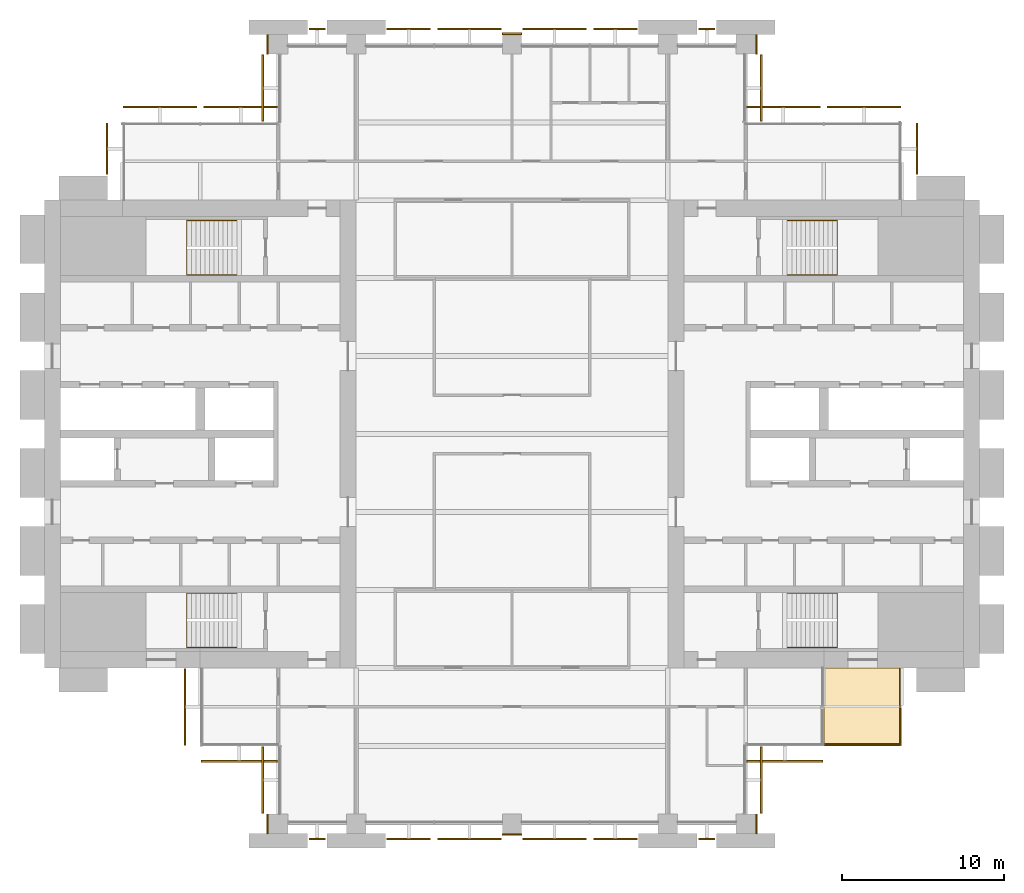
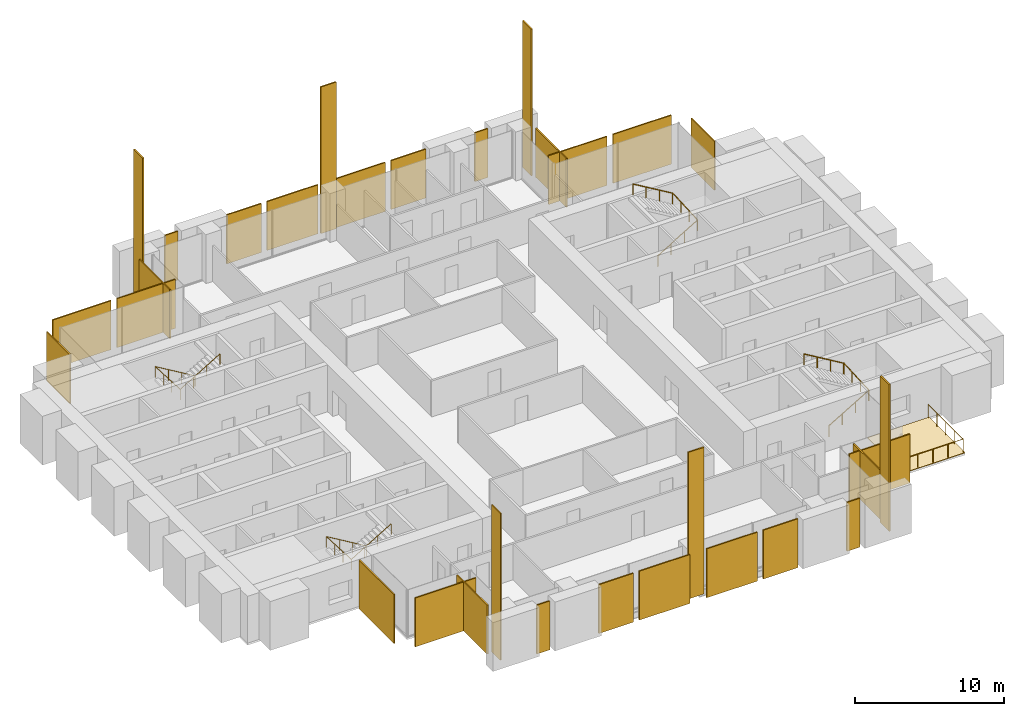
# One storey, part 14 of 14: 32 coverings, 5 railings.
"""IFC4 building model written with IfcOpenShell, lengths in metres."""

from ifc_helpers import new_model, si_unit, direction, frame, origin, origin_2d, place, context, subcontext, project, spatial, polyline, rectangle, circle, outline, extrude, material, layer, layer_set, type_object, element, save


model = new_model("IFC4")

# Units and contexts
model_context = context("Model", 3, precision=1e-05, world=origin(), true_north=direction((0.0, 1.0)))
body_context = subcontext(model_context, "Body", "Model", "MODEL_VIEW")
ifc_project = project(units=[si_unit("LENGTHUNIT", "METRE"), si_unit("AREAUNIT", "SQUARE_METRE"), si_unit("VOLUMEUNIT", "CUBIC_METRE"), si_unit("PLANEANGLEUNIT", "RADIAN"), si_unit("MASSUNIT", "GRAM", prefix="KILO")], contexts=[model_context])

# Site, building, storey
site_placement = place(None, origin())
site = spatial("IfcSite", under=ifc_project, at=site_placement, CompositionType="ELEMENT")
building_placement = place(site_placement, origin())
building = spatial("IfcBuilding", under=site, at=building_placement, Name="Baori Bourse Tower", CompositionType="ELEMENT")
storey_placement = place(building_placement, frame((0.0, 0.0, 120.10009765625)))
storey = spatial("IfcBuildingStorey", under=building, at=storey_placement, Name="L25", CompositionType="ELEMENT", Elevation=120.10009765625)

# Railings
ifc_material_1 = material(Name="Powder-coated steel balustrade", Category="steel")
railing_type_1 = type_object("IfcRailingType", Name="Core stair handrail", PredefinedType="HANDRAIL", material=ifc_material_1)
railing_1_placement = place(storey_placement, frame((11.85009765625, 14.199951171875, 0.16650390625)))
element("IfcRailing", 1, at=railing_1_placement, inside=storey, type_object=railing_type_1, Name="L25 ST1 stair handrail 1", PredefinedType="HANDRAIL", context=body_context, shape_type="SweptSolid", body=[
    extrude(circle(Radius=0.02392578125, at=origin_2d()), frame((0.0, 0.0, 0.8759765625), z_axis=(-0.85927862911, 0.0, 0.511507807912), x_axis=(0.0, -1.0, 0.0)), (0.0, 0.0, 1.0), 3.58447265625),
    extrude(circle(Radius=0.02392578125, at=origin_2d()), frame((-3.080078125, 0.0, 2.70947265625), z_axis=(0.0, -0.998766999029, 0.049643545903), x_axis=(1.0, 0.0, 0.0)), (0.0, 0.0, 1.0), 3.35400390625),
    extrude(circle(Radius=0.02392578125, at=origin_2d()), frame((-3.080078125, -3.349853515625, 2.8759765625), z_axis=(0.85927862911, 0.0, 0.511507807912), x_axis=(0.0, 1.0, 0.0)), (0.0, 0.0, 1.0), 3.58447265625),
    extrude(circle(Radius=0.02099609375, at=origin_2d()), origin(), (0.0, 0.0, 1.0), 0.851806640625),
    extrude(circle(Radius=0.02099609375, at=origin_2d()), frame((-1.026611328125, 0.0, 0.611083984375)), (0.0, 0.0, 1.0), 0.851806640625),
    extrude(circle(Radius=0.02099609375, at=origin_2d()), frame((-2.053466796875, 0.0, 1.222412109375)), (0.0, 0.0, 1.0), 0.851806640625),
    extrude(circle(Radius=0.02099609375, at=origin_2d()), frame((-3.080078125, 0.0, 1.83349609375)), (0.0, 0.0, 1.0), 0.851806640625),
    extrude(circle(Radius=0.02099609375, at=origin_2d()), frame((-3.080078125, -1.11669921875, 1.888916015625)), (0.0, 0.0, 1.0), 0.851806640625),
    extrude(circle(Radius=0.02099609375, at=origin_2d()), frame((-3.080078125, -2.233154296875, 1.944580078125)), (0.0, 0.0, 1.0), 0.851806640625),
    extrude(circle(Radius=0.02099609375, at=origin_2d()), frame((-3.080078125, -3.349853515625, 2.0)), (0.0, 0.0, 1.0), 0.851806640625),
    extrude(circle(Radius=0.02099609375, at=origin_2d()), frame((-2.053466796875, -3.349853515625, 2.611083984375)), (0.0, 0.0, 1.0), 0.851806640625),
    extrude(circle(Radius=0.02099609375, at=origin_2d()), frame((-1.026611328125, -3.349853515625, 3.222412109375)), (0.0, 0.0, 1.0), 0.851806640625),
    extrude(circle(Radius=0.02099609375, at=origin_2d()), frame((0.0, -3.349853515625, 3.83349609375)), (0.0, 0.0, 1.0), 0.851806640625),
])
railing_2_placement = place(storey_placement, frame((11.85009765625, 37.14990234375, 0.16650390625)))
element("IfcRailing", 2, at=railing_2_placement, inside=storey, type_object=railing_type_1, Name="L25 ST2 stair handrail 1", PredefinedType="HANDRAIL", context=body_context, shape_type="SweptSolid", body=[
    extrude(circle(Radius=0.02392578125, at=origin_2d()), frame((0.0, 0.0, 0.8759765625), z_axis=(-0.85927862911, 0.0, 0.511507807912), x_axis=(0.0, -1.0, 0.0)), (0.0, 0.0, 1.0), 3.58447265625),
    extrude(circle(Radius=0.02392578125, at=origin_2d()), frame((-3.080078125, 0.0, 2.70947265625), z_axis=(0.0, -0.998766999029, 0.049643545903), x_axis=(1.0, 0.0, 0.0)), (0.0, 0.0, 1.0), 3.35400390625),
    extrude(circle(Radius=0.02392578125, at=origin_2d()), frame((-3.080078125, -3.349853515625, 2.8759765625), z_axis=(0.85927862911, 0.0, 0.511507807912), x_axis=(0.0, 1.0, 0.0)), (0.0, 0.0, 1.0), 3.58447265625),
    extrude(circle(Radius=0.02099609375, at=origin_2d()), origin(), (0.0, 0.0, 1.0), 0.851806640625),
    extrude(circle(Radius=0.02099609375, at=origin_2d()), frame((-1.026611328125, 0.0, 0.611083984375)), (0.0, 0.0, 1.0), 0.851806640625),
    extrude(circle(Radius=0.02099609375, at=origin_2d()), frame((-2.053466796875, 0.0, 1.222412109375)), (0.0, 0.0, 1.0), 0.851806640625),
    extrude(circle(Radius=0.02099609375, at=origin_2d()), frame((-3.080078125, 0.0, 1.83349609375)), (0.0, 0.0, 1.0), 0.851806640625),
    extrude(circle(Radius=0.02099609375, at=origin_2d()), frame((-3.080078125, -1.11669921875, 1.888916015625)), (0.0, 0.0, 1.0), 0.851806640625),
    extrude(circle(Radius=0.02099609375, at=origin_2d()), frame((-3.080078125, -2.233154296875, 1.944580078125)), (0.0, 0.0, 1.0), 0.851806640625),
    extrude(circle(Radius=0.02099609375, at=origin_2d()), frame((-3.080078125, -3.349853515625, 2.0)), (0.0, 0.0, 1.0), 0.851806640625),
    extrude(circle(Radius=0.02099609375, at=origin_2d()), frame((-2.053466796875, -3.349853515625, 2.611083984375)), (0.0, 0.0, 1.0), 0.851806640625),
    extrude(circle(Radius=0.02099609375, at=origin_2d()), frame((-1.026611328125, -3.349853515625, 3.222412109375)), (0.0, 0.0, 1.0), 0.851806640625),
    extrude(circle(Radius=0.02099609375, at=origin_2d()), frame((0.0, -3.349853515625, 3.83349609375)), (0.0, 0.0, 1.0), 0.851806640625),
])
railing_3_placement = place(storey_placement, frame((45.75, 10.85009765625, 0.16650390625)))
element("IfcRailing", 3, at=railing_3_placement, inside=storey, type_object=railing_type_1, Name="L25 ST3 stair handrail 1", PredefinedType="HANDRAIL", context=body_context, shape_type="SweptSolid", body=[
    extrude(circle(Radius=0.02392578125, at=origin_2d()), frame((0.0, 0.0, 0.8759765625), z_axis=(0.85927862911, 0.0, 0.511507807912), x_axis=(0.0, 1.0, 0.0)), (0.0, 0.0, 1.0), 3.58447265625),
    extrude(circle(Radius=0.02392578125, at=origin_2d()), frame((3.080078125, 0.0, 2.70947265625), z_axis=(0.0, 0.998766999029, 0.049643545903), x_axis=(-1.0, 0.0, 0.0)), (0.0, 0.0, 1.0), 3.35400390625),
    extrude(circle(Radius=0.02392578125, at=origin_2d()), frame((3.080078125, 3.349853515625, 2.8759765625), z_axis=(-0.85927862911, 0.0, 0.511507807912), x_axis=(0.0, -1.0, 0.0)), (0.0, 0.0, 1.0), 3.58447265625),
    extrude(circle(Radius=0.02099609375, at=origin_2d()), origin(), (0.0, 0.0, 1.0), 0.851806640625),
    extrude(circle(Radius=0.02099609375, at=origin_2d()), frame((1.026611328125, 0.0, 0.611083984375)), (0.0, 0.0, 1.0), 0.851806640625),
    extrude(circle(Radius=0.02099609375, at=origin_2d()), frame((2.053466796875, 0.0, 1.222412109375)), (0.0, 0.0, 1.0), 0.851806640625),
    extrude(circle(Radius=0.02099609375, at=origin_2d()), frame((3.080078125, 0.0, 1.83349609375)), (0.0, 0.0, 1.0), 0.851806640625),
    extrude(circle(Radius=0.02099609375, at=origin_2d()), frame((3.080078125, 1.11669921875, 1.888916015625)), (0.0, 0.0, 1.0), 0.851806640625),
    extrude(circle(Radius=0.02099609375, at=origin_2d()), frame((3.080078125, 2.233154296875, 1.944580078125)), (0.0, 0.0, 1.0), 0.851806640625),
    extrude(circle(Radius=0.02099609375, at=origin_2d()), frame((3.080078125, 3.349853515625, 2.0)), (0.0, 0.0, 1.0), 0.851806640625),
    extrude(circle(Radius=0.02099609375, at=origin_2d()), frame((2.053466796875, 3.349853515625, 2.611083984375)), (0.0, 0.0, 1.0), 0.851806640625),
    extrude(circle(Radius=0.02099609375, at=origin_2d()), frame((1.026611328125, 3.349853515625, 3.222412109375)), (0.0, 0.0, 1.0), 0.851806640625),
    extrude(circle(Radius=0.02099609375, at=origin_2d()), frame((0.0, 3.349853515625, 3.83349609375)), (0.0, 0.0, 1.0), 0.851806640625),
])
railing_4_placement = place(storey_placement, frame((45.75, 33.800048828125, 0.16650390625)))
element("IfcRailing", 4, at=railing_4_placement, inside=storey, type_object=railing_type_1, Name="L25 ST4 stair handrail 1", PredefinedType="HANDRAIL", context=body_context, shape_type="SweptSolid", body=[
    extrude(circle(Radius=0.02392578125, at=origin_2d()), frame((0.0, 0.0, 0.8759765625), z_axis=(0.85927862911, 0.0, 0.511507807912), x_axis=(0.0, 1.0, 0.0)), (0.0, 0.0, 1.0), 3.58447265625),
    extrude(circle(Radius=0.02392578125, at=origin_2d()), frame((3.080078125, 0.0, 2.70947265625), z_axis=(0.0, 0.998766999029, 0.049643545903), x_axis=(-1.0, 0.0, 0.0)), (0.0, 0.0, 1.0), 3.35400390625),
    extrude(circle(Radius=0.02392578125, at=origin_2d()), frame((3.080078125, 3.349853515625, 2.8759765625), z_axis=(-0.85927862911, 0.0, 0.511507807912), x_axis=(0.0, -1.0, 0.0)), (0.0, 0.0, 1.0), 3.58447265625),
    extrude(circle(Radius=0.02099609375, at=origin_2d()), origin(), (0.0, 0.0, 1.0), 0.851806640625),
    extrude(circle(Radius=0.02099609375, at=origin_2d()), frame((1.026611328125, 0.0, 0.611083984375)), (0.0, 0.0, 1.0), 0.851806640625),
    extrude(circle(Radius=0.02099609375, at=origin_2d()), frame((2.053466796875, 0.0, 1.222412109375)), (0.0, 0.0, 1.0), 0.851806640625),
    extrude(circle(Radius=0.02099609375, at=origin_2d()), frame((3.080078125, 0.0, 1.83349609375)), (0.0, 0.0, 1.0), 0.851806640625),
    extrude(circle(Radius=0.02099609375, at=origin_2d()), frame((3.080078125, 1.11669921875, 1.888916015625)), (0.0, 0.0, 1.0), 0.851806640625),
    extrude(circle(Radius=0.02099609375, at=origin_2d()), frame((3.080078125, 2.233154296875, 1.944580078125)), (0.0, 0.0, 1.0), 0.851806640625),
    extrude(circle(Radius=0.02099609375, at=origin_2d()), frame((3.080078125, 3.349853515625, 2.0)), (0.0, 0.0, 1.0), 0.851806640625),
    extrude(circle(Radius=0.02099609375, at=origin_2d()), frame((2.053466796875, 3.349853515625, 2.611083984375)), (0.0, 0.0, 1.0), 0.851806640625),
    extrude(circle(Radius=0.02099609375, at=origin_2d()), frame((1.026611328125, 3.349853515625, 3.222412109375)), (0.0, 0.0, 1.0), 0.851806640625),
    extrude(circle(Radius=0.02099609375, at=origin_2d()), frame((0.0, 3.349853515625, 3.83349609375)), (0.0, 0.0, 1.0), 0.851806640625),
])
ifc_material_2 = material(Name="Stainless steel", Category="steel")
railing_type_2 = type_object("IfcRailingType", Name="GD1 Guard", PredefinedType="GUARDRAIL", material=ifc_material_2)
railing_5_placement = place(storey_placement, frame((52.699951171875, 9.570068359375, 0.039794921875)))
element("IfcRailing", 5, at=railing_5_placement, inside=storey, type_object=railing_type_2, Name="Guard terrace SE L25 1", PredefinedType="GUARDRAIL", context=body_context, shape_type="SweptSolid", body=[
    extrude(circle(Radius=0.02392578125, at=origin_2d()), frame((0.0, 0.0, 1.076171875), z_axis=(0.0, -1.0, 0.0), x_axis=(1.0, 0.0, 0.0)), (0.0, 0.0, 1.0), 4.670166015625),
    extrude(circle(Radius=0.02392578125, at=origin_2d()), frame((0.0, -4.670166015625, 1.076171875), z_axis=(-1.0, 0.0, 0.0), x_axis=(0.0, -1.0, 0.0)), (0.0, 0.0, 1.0), 4.669921875),
    extrude(circle(Radius=0.02099609375, at=origin_2d()), origin(), (0.0, 0.0, 1.0), 1.052001953125),
    extrude(circle(Radius=0.02099609375, at=origin_2d()), frame((0.0, -1.16748046875, 0.0)), (0.0, 0.0, 1.0), 1.052001953125),
    extrude(circle(Radius=0.02099609375, at=origin_2d()), frame((0.0, -2.3349609375, 0.0)), (0.0, 0.0, 1.0), 1.052001953125),
    extrude(circle(Radius=0.02099609375, at=origin_2d()), frame((0.0, -3.502685546875, 0.0)), (0.0, 0.0, 1.0), 1.052001953125),
    extrude(circle(Radius=0.02099609375, at=origin_2d()), frame((0.0, -4.670166015625, 0.0)), (0.0, 0.0, 1.0), 1.052001953125),
    extrude(circle(Radius=0.02099609375, at=origin_2d()), frame((-1.16748046875, -4.670166015625, 0.0)), (0.0, 0.0, 1.0), 1.052001953125),
    extrude(circle(Radius=0.02099609375, at=origin_2d()), frame((-2.3349609375, -4.670166015625, 0.0)), (0.0, 0.0, 1.0), 1.052001953125),
    extrude(circle(Radius=0.02099609375, at=origin_2d()), frame((-3.50244140625, -4.670166015625, 0.0)), (0.0, 0.0, 1.0), 1.052001953125),
    extrude(circle(Radius=0.02099609375, at=origin_2d()), frame((-4.669921875, -4.670166015625, 0.0)), (0.0, 0.0, 1.0), 1.052001953125),
])

# Coverings
ifc_material_3 = material(Name="Pale anodised aluminium", Category="aluminium")
ifc_layer_1 = layer(ifc_material_3, 0.10009765625)
ifc_layer_set_1 = layer_set([ifc_layer_1], Name="OS3 Outer skin screen panel")
covering_type_1 = type_object("IfcCoveringType", Name="OS3 Outer skin screen panel", PredefinedType="CLADDING", material=ifc_layer_set_1)
covering_1_placement = place(storey_placement, frame((0.0, 0.0, -0.16015625)))
element("IfcCovering", 6, at=covering_1_placement, inside=storey, type_object=covering_type_1, Name="Outer skin screen L25 1", PredefinedType="CLADDING", context=body_context, shape_type="SweptSolid", body=[
    extrude(outline(polyline([(53.699951171875, 43.14990234375), (53.699951171875, 40.0), (53.800048828125, 40.0), (53.800048828125, 43.14990234375), (53.699951171875, 43.14990234375)])), origin(), (0.0, 0.0, 1.0), 4.0),
])
covering_2_placement = place(storey_placement, frame((0.0, 0.0, -0.16015625)))
element("IfcCovering", 7, at=covering_2_placement, inside=storey, type_object=covering_type_1, Name="Outer skin screen L25 2", PredefinedType="CLADDING", context=body_context, shape_type="SweptSolid", body=[
    extrude(outline(polyline([(48.22509765625, 44.10009765625), (52.75, 44.10009765625), (52.75, 44.199951171875), (48.22509765625, 44.199951171875), (48.22509765625, 44.10009765625)])), origin(), (0.0, 0.0, 1.0), 4.0),
])
covering_3_placement = place(storey_placement, frame((0.0, 0.0, -0.16015625)))
element("IfcCovering", 8, at=covering_3_placement, inside=storey, type_object=covering_type_1, Name="Outer skin screen L25 3", PredefinedType="CLADDING", context=body_context, shape_type="SweptSolid", body=[
    extrude(outline(polyline([(43.25, 44.10009765625), (47.77490234375, 44.10009765625), (47.77490234375, 44.199951171875), (43.25, 44.199951171875), (43.25, 44.10009765625)])), origin(), (0.0, 0.0, 1.0), 4.0),
])
covering_4_placement = place(storey_placement, frame((0.0, 0.0, -0.16015625)))
element("IfcCovering", 9, at=covering_4_placement, inside=storey, type_object=covering_type_1, Name="Outer skin screen L25 4", PredefinedType="CLADDING", context=body_context, shape_type="SweptSolid", body=[
    extrude(outline(polyline([(44.10009765625, 47.35009765625), (44.10009765625, 43.25), (44.199951171875, 43.25), (44.199951171875, 47.35009765625), (44.10009765625, 47.35009765625)])), origin(), (0.0, 0.0, 1.0), 4.0),
])
covering_5_placement = place(storey_placement, frame((0.0, 0.0, -0.16015625)))
element("IfcCovering", 10, at=covering_5_placement, inside=storey, type_object=covering_type_1, Name="Outer skin screen L25 5", PredefinedType="CLADDING", context=body_context, shape_type="SweptSolid", body=[
    extrude(outline(polyline([(40.300048828125, 48.89990234375), (41.300048828125, 48.89990234375), (41.300048828125, 49.0), (40.300048828125, 49.0), (40.300048828125, 48.89990234375)])), origin(), (0.0, 0.0, 1.0), 4.0),
])
covering_6_placement = place(storey_placement, frame((0.0, 0.0, -0.16015625)))
element("IfcCovering", 11, at=covering_6_placement, inside=storey, type_object=covering_type_1, Name="Outer skin screen L25 6", PredefinedType="CLADDING", context=body_context, shape_type="SweptSolid", body=[
    extrude(outline(polyline([(33.824951171875, 48.89990234375), (36.5, 48.89990234375), (36.5, 49.0), (33.824951171875, 49.0), (33.824951171875, 48.89990234375)])), origin(), (0.0, 0.0, 1.0), 4.0),
])
covering_7_placement = place(storey_placement, frame((0.0, 0.0, -0.16015625)))
element("IfcCovering", 12, at=covering_7_placement, inside=storey, type_object=covering_type_1, Name="Outer skin screen L25 7", PredefinedType="CLADDING", context=body_context, shape_type="SweptSolid", body=[
    extrude(outline(polyline([(29.449951171875, 48.89990234375), (33.375, 48.89990234375), (33.375, 49.0), (29.449951171875, 49.0), (29.449951171875, 48.89990234375)])), origin(), (0.0, 0.0, 1.0), 4.0),
])
covering_8_placement = place(storey_placement, frame((0.0, 0.0, -0.16015625)))
element("IfcCovering", 13, at=covering_8_placement, inside=storey, type_object=covering_type_1, Name="Outer skin screen L25 8", PredefinedType="CLADDING", context=body_context, shape_type="SweptSolid", body=[
    extrude(outline(polyline([(24.22509765625, 48.89990234375), (28.14990234375, 48.89990234375), (28.14990234375, 49.0), (24.22509765625, 49.0), (24.22509765625, 48.89990234375)])), origin(), (0.0, 0.0, 1.0), 4.0),
])
covering_9_placement = place(storey_placement, frame((0.0, 0.0, -0.16015625)))
element("IfcCovering", 14, at=covering_9_placement, inside=storey, type_object=covering_type_1, Name="Outer skin screen L25 9", PredefinedType="CLADDING", context=body_context, shape_type="SweptSolid", body=[
    extrude(outline(polyline([(21.10009765625, 48.89990234375), (23.77490234375, 48.89990234375), (23.77490234375, 49.0), (21.10009765625, 49.0), (21.10009765625, 48.89990234375)])), origin(), (0.0, 0.0, 1.0), 4.0),
])
covering_10_placement = place(storey_placement, frame((0.0, 0.0, -0.16015625)))
element("IfcCovering", 15, at=covering_10_placement, inside=storey, type_object=covering_type_1, Name="Outer skin screen L25 10", PredefinedType="CLADDING", context=body_context, shape_type="SweptSolid", body=[
    extrude(outline(polyline([(16.300048828125, 48.89990234375), (17.300048828125, 48.89990234375), (17.300048828125, 49.0), (16.300048828125, 49.0), (16.300048828125, 48.89990234375)])), origin(), (0.0, 0.0, 1.0), 4.0),
])
covering_11_placement = place(storey_placement, frame((0.0, 0.0, -0.16015625)))
element("IfcCovering", 16, at=covering_11_placement, inside=storey, type_object=covering_type_1, Name="Outer skin screen L25 11", PredefinedType="CLADDING", context=body_context, shape_type="SweptSolid", body=[
    extrude(outline(polyline([(13.5, 43.25), (13.5, 47.35009765625), (13.39990234375, 47.35009765625), (13.39990234375, 43.25), (13.5, 43.25)])), origin(), (0.0, 0.0, 1.0), 4.0),
])
covering_12_placement = place(storey_placement, frame((0.0, 0.0, -0.16015625)))
element("IfcCovering", 17, at=covering_12_placement, inside=storey, type_object=covering_type_1, Name="Outer skin screen L25 12", PredefinedType="CLADDING", context=body_context, shape_type="SweptSolid", body=[
    extrude(outline(polyline([(9.824951171875, 44.10009765625), (14.35009765625, 44.10009765625), (14.35009765625, 44.199951171875), (9.824951171875, 44.199951171875), (9.824951171875, 44.10009765625)])), origin(), (0.0, 0.0, 1.0), 4.0),
])
covering_13_placement = place(storey_placement, frame((0.0, 0.0, -0.16015625)))
element("IfcCovering", 18, at=covering_13_placement, inside=storey, type_object=covering_type_1, Name="Outer skin screen L25 13", PredefinedType="CLADDING", context=body_context, shape_type="SweptSolid", body=[
    extrude(outline(polyline([(4.85009765625, 44.10009765625), (9.375, 44.10009765625), (9.375, 44.199951171875), (4.85009765625, 44.199951171875), (4.85009765625, 44.10009765625)])), origin(), (0.0, 0.0, 1.0), 4.0),
])
covering_14_placement = place(storey_placement, frame((0.0, 0.0, -0.16015625)))
element("IfcCovering", 19, at=covering_14_placement, inside=storey, type_object=covering_type_1, Name="Outer skin screen L25 14", PredefinedType="CLADDING", context=body_context, shape_type="SweptSolid", body=[
    extrude(outline(polyline([(3.89990234375, 40.0), (3.89990234375, 43.14990234375), (3.800048828125, 43.14990234375), (3.800048828125, 40.0), (3.89990234375, 40.0), (3.89990234375, 40.0)])), origin(), (0.0, 0.0, 1.0), 4.0),
])
covering_15_placement = place(storey_placement, frame((0.0, 0.0, -0.16015625)))
element("IfcCovering", 20, at=covering_15_placement, inside=storey, type_object=covering_type_1, Name="Outer skin screen L25 15", PredefinedType="CLADDING", context=body_context, shape_type="SweptSolid", body=[
    extrude(outline(polyline([(8.699951171875, 4.85009765625), (8.699951171875, 9.550048828125), (8.60009765625, 9.550048828125), (8.60009765625, 4.85009765625), (8.699951171875, 4.85009765625)])), origin(), (0.0, 0.0, 1.0), 4.0),
])
covering_16_placement = place(storey_placement, frame((0.0, 0.0, -0.16015625)))
element("IfcCovering", 21, at=covering_16_placement, inside=storey, type_object=covering_type_1, Name="Outer skin screen L25 16", PredefinedType="CLADDING", context=body_context, shape_type="SweptSolid", body=[
    extrude(outline(polyline([(14.35009765625, 3.89990234375), (9.64990234375, 3.89990234375), (9.64990234375, 3.800048828125), (14.35009765625, 3.800048828125), (14.35009765625, 3.89990234375)])), origin(), (0.0, 0.0, 1.0), 4.0),
])
covering_17_placement = place(storey_placement, frame((0.0, 0.0, -0.16015625)))
element("IfcCovering", 22, at=covering_17_placement, inside=storey, type_object=covering_type_1, Name="Outer skin screen L25 17", PredefinedType="CLADDING", context=body_context, shape_type="SweptSolid", body=[
    extrude(outline(polyline([(13.5, 0.64990234375), (13.5, 4.75), (13.39990234375, 4.75), (13.39990234375, 0.64990234375), (13.5, 0.64990234375)])), origin(), (0.0, 0.0, 1.0), 4.0),
])
covering_18_placement = place(storey_placement, frame((0.0, 0.0, -0.16015625)))
element("IfcCovering", 23, at=covering_18_placement, inside=storey, type_object=covering_type_1, Name="Outer skin screen L25 18", PredefinedType="CLADDING", context=body_context, shape_type="SweptSolid", body=[
    extrude(outline(polyline([(17.300048828125, -0.89990234375), (16.300048828125, -0.89990234375), (16.300048828125, -1.0), (17.300048828125, -1.0), (17.300048828125, -0.89990234375)])), origin(), (0.0, 0.0, 1.0), 4.0),
])
covering_19_placement = place(storey_placement, frame((0.0, 0.0, -0.16015625)))
element("IfcCovering", 24, at=covering_19_placement, inside=storey, type_object=covering_type_1, Name="Outer skin screen L25 19", PredefinedType="CLADDING", context=body_context, shape_type="SweptSolid", body=[
    extrude(outline(polyline([(23.77490234375, -0.89990234375), (21.10009765625, -0.89990234375), (21.10009765625, -1.0), (23.77490234375, -1.0), (23.77490234375, -0.89990234375)])), origin(), (0.0, 0.0, 1.0), 4.0),
])
covering_20_placement = place(storey_placement, frame((0.0, 0.0, -0.16015625)))
element("IfcCovering", 25, at=covering_20_placement, inside=storey, type_object=covering_type_1, Name="Outer skin screen L25 20", PredefinedType="CLADDING", context=body_context, shape_type="SweptSolid", body=[
    extrude(outline(polyline([(28.14990234375, -0.89990234375), (24.22509765625, -0.89990234375), (24.22509765625, -1.0), (28.14990234375, -1.0), (28.14990234375, -0.89990234375)])), origin(), (0.0, 0.0, 1.0), 4.0),
])
covering_21_placement = place(storey_placement, frame((0.0, 0.0, -0.16015625)))
element("IfcCovering", 26, at=covering_21_placement, inside=storey, type_object=covering_type_1, Name="Outer skin screen L25 21", PredefinedType="CLADDING", context=body_context, shape_type="SweptSolid", body=[
    extrude(outline(polyline([(33.375, -0.89990234375), (29.449951171875, -0.89990234375), (29.449951171875, -1.0), (33.375, -1.0), (33.375, -0.89990234375)])), origin(), (0.0, 0.0, 1.0), 4.0),
])
covering_22_placement = place(storey_placement, frame((0.0, 0.0, -0.16015625)))
element("IfcCovering", 27, at=covering_22_placement, inside=storey, type_object=covering_type_1, Name="Outer skin screen L25 22", PredefinedType="CLADDING", context=body_context, shape_type="SweptSolid", body=[
    extrude(outline(polyline([(36.5, -0.89990234375), (33.824951171875, -0.89990234375), (33.824951171875, -1.0), (36.5, -1.0), (36.5, -0.89990234375)])), origin(), (0.0, 0.0, 1.0), 4.0),
])
covering_23_placement = place(storey_placement, frame((0.0, 0.0, -0.16015625)))
element("IfcCovering", 28, at=covering_23_placement, inside=storey, type_object=covering_type_1, Name="Outer skin screen L25 23", PredefinedType="CLADDING", context=body_context, shape_type="SweptSolid", body=[
    extrude(outline(polyline([(41.300048828125, -0.89990234375), (40.300048828125, -0.89990234375), (40.300048828125, -1.0), (41.300048828125, -1.0), (41.300048828125, -0.89990234375)])), origin(), (0.0, 0.0, 1.0), 4.0),
])
covering_24_placement = place(storey_placement, frame((0.0, 0.0, -0.16015625)))
element("IfcCovering", 29, at=covering_24_placement, inside=storey, type_object=covering_type_1, Name="Outer skin screen L25 24", PredefinedType="CLADDING", context=body_context, shape_type="SweptSolid", body=[
    extrude(outline(polyline([(44.10009765625, 4.75), (44.10009765625, 0.64990234375), (44.199951171875, 0.64990234375), (44.199951171875, 4.75), (44.10009765625, 4.75)])), origin(), (0.0, 0.0, 1.0), 4.0),
])
covering_25_placement = place(storey_placement, frame((0.0, 0.0, -0.16015625)))
element("IfcCovering", 30, at=covering_25_placement, inside=storey, type_object=covering_type_1, Name="Outer skin screen L25 25", PredefinedType="CLADDING", context=body_context, shape_type="SweptSolid", body=[
    extrude(outline(polyline([(47.949951171875, 3.89990234375), (43.25, 3.89990234375), (43.25, 3.800048828125), (47.949951171875, 3.800048828125), (47.949951171875, 3.89990234375)])), origin(), (0.0, 0.0, 1.0), 4.0),
])
ifc_material_4 = material(Name="Face brick", Category="masonry")
ifc_layer_2 = layer(ifc_material_4, 0.110107421875)
ifc_layer_set_2 = layer_set([ifc_layer_2], Name="PC1 Brick pier facing")
covering_type_2 = type_object("IfcCoveringType", Name="PC1 Brick pier facing", PredefinedType="CLADDING", material=ifc_layer_set_2)
covering_26_placement = place(storey_placement, frame((13.7451171875, 0.0, 0.0), z_axis=(0.0, 0.0, 1.0), x_axis=(1.0, 0.0, 0.0)))
element("IfcCovering", 31, at=covering_26_placement, inside=storey, type_object=covering_type_2, Name="Brick pier facing L25 1", PredefinedType="CLADDING", context=body_context, shape_type="SweptSolid", body=[
    extrude(rectangle(XDim=0.110107421875, YDim=1.199951171875, at=origin_2d()), origin(), (0.0, 0.0, 1.0), 12.0),
])
covering_27_placement = place(storey_placement, frame((28.800048828125, -0.655029296875, 0.0), z_axis=(0.0, 0.0, 1.0), x_axis=(1.0, 0.0, 0.0)))
element("IfcCovering", 32, at=covering_27_placement, inside=storey, type_object=covering_type_2, Name="Brick pier facing L25 2", PredefinedType="CLADDING", context=body_context, shape_type="SweptSolid", body=[
    extrude(rectangle(XDim=1.199951171875, YDim=0.110107421875, at=origin_2d()), origin(), (0.0, 0.0, 1.0), 12.0),
])
for number, where, z_axis, x_axis, name in (
    (33, (43.85498046875, 0.0, 0.0), (0.0, 0.0, 1.0), (1.0, 0.0, 0.0), "Brick pier facing L25 3"),
    (34, (13.7451171875, 48.0, 0.0), (0.0, 0.0, 1.0), (1.0, 0.0, 0.0), "Brick pier facing L25 4"),
):
    element("IfcCovering", number, at=place(storey_placement, frame(where, z_axis=z_axis, x_axis=x_axis)), inside=storey, type_object=covering_type_2, Name=name, PredefinedType="CLADDING", context=body_context, shape_type="SweptSolid", body=[
        extrude(rectangle(XDim=0.110107421875, YDim=1.199951171875, at=origin_2d()), origin(), (0.0, 0.0, 1.0), 12.0),
    ])
covering_28_placement = place(storey_placement, frame((28.800048828125, 48.655029296875, 0.0), z_axis=(0.0, 0.0, 1.0), x_axis=(1.0, 0.0, 0.0)))
element("IfcCovering", 35, at=covering_28_placement, inside=storey, type_object=covering_type_2, Name="Brick pier facing L25 5", PredefinedType="CLADDING", context=body_context, shape_type="SweptSolid", body=[
    extrude(rectangle(XDim=1.199951171875, YDim=0.110107421875, at=origin_2d()), origin(), (0.0, 0.0, 1.0), 12.0),
])
covering_29_placement = place(storey_placement, frame((43.85498046875, 48.0, 0.0), z_axis=(0.0, 0.0, 1.0), x_axis=(1.0, 0.0, 0.0)))
element("IfcCovering", 36, at=covering_29_placement, inside=storey, type_object=covering_type_2, Name="Brick pier facing L25 6", PredefinedType="CLADDING", context=body_context, shape_type="SweptSolid", body=[
    extrude(rectangle(XDim=0.110107421875, YDim=1.199951171875, at=origin_2d()), origin(), (0.0, 0.0, 1.0), 12.0),
])
ifc_material_5 = material(Name="Granite paving", Category="masonry")
ifc_layer_3 = layer(ifc_material_5, 0.0400390625)
ifc_layer_set_3 = layer_set([ifc_layer_3], Name="PV1 Deck paving")
covering_type_3 = type_object("IfcCoveringType", Name="PV1 Deck paving", PredefinedType="FLOORING", material=ifc_layer_set_3)
covering_30_placement = place(storey_placement, origin())
element("IfcCovering", 37, at=covering_30_placement, inside=storey, type_object=covering_type_3, Name="Terrace paving L25 1", PredefinedType="FLOORING", context=body_context, shape_type="SweptSolid", body=[
    extrude(outline(polyline([(48.0, 9.60009765625), (48.0, 4.800048828125), (52.800048828125, 4.800048828125), (52.800048828125, 9.60009765625), (48.0, 9.60009765625)])), origin(), (0.0, 0.0, 1.0), 0.039794921875),
])

save(model, "model.ifc")
